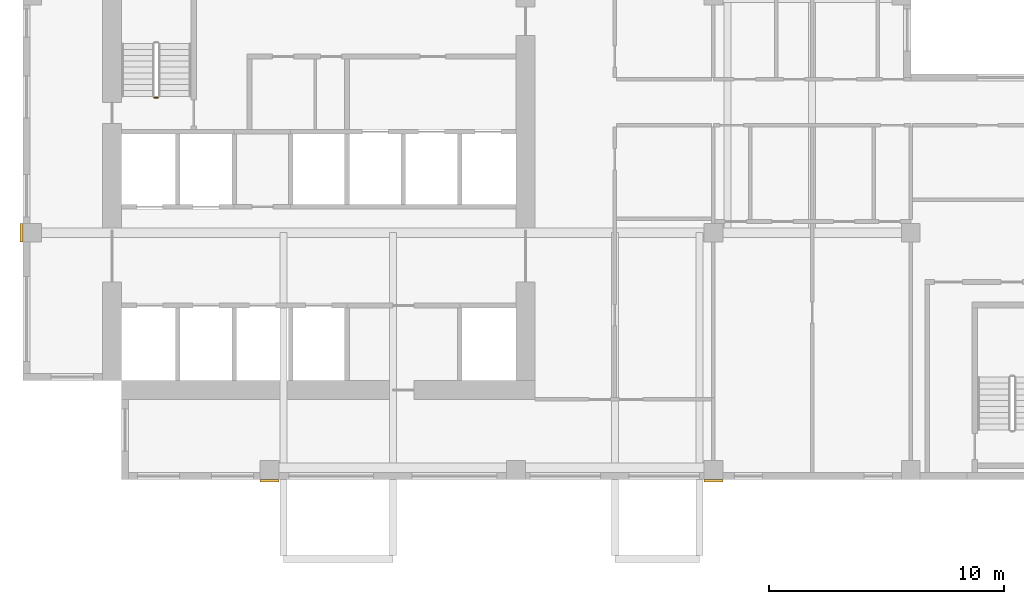
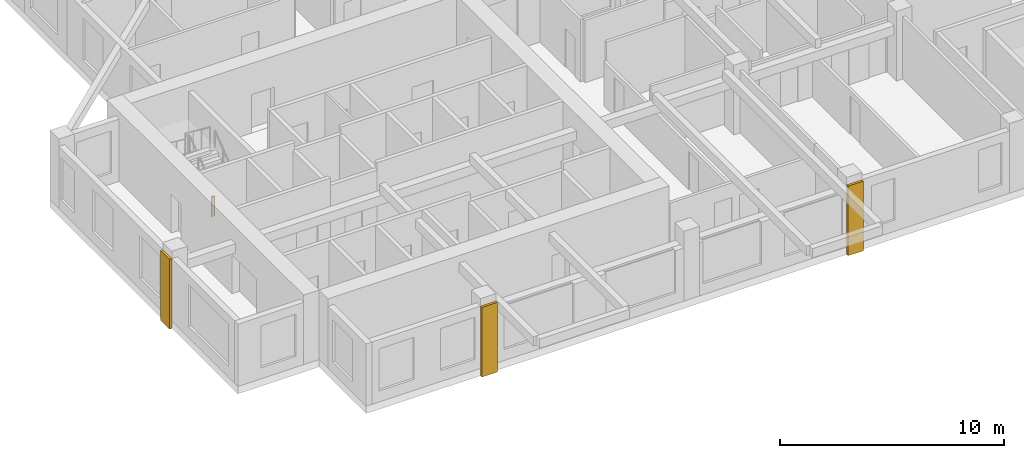
# One storey, part 8 of 11: 3 coverings, 1 railing.
"""IFC4 building model written with IfcOpenShell, lengths in metres."""

from ifc_helpers import new_model, si_unit, direction, frame, origin, origin_2d, place, context, subcontext, project, spatial, rectangle, circle, extrude, source, transform, mapped, material, type_object, element, save


model = new_model("IFC4")

# Units and contexts
model_context = context("Model", 3, precision=1e-05, world=origin(), true_north=direction((0.0, 1.0)))
body_context = subcontext(model_context, "Body", "Model", "MODEL_VIEW")
ifc_project = project(units=[si_unit("LENGTHUNIT", "METRE"), si_unit("AREAUNIT", "SQUARE_METRE"), si_unit("VOLUMEUNIT", "CUBIC_METRE"), si_unit("PLANEANGLEUNIT", "RADIAN"), si_unit("MASSUNIT", "GRAM", prefix="KILO")], contexts=[model_context])

# Site, building, storey
site_placement = place(None, origin())
site = spatial("IfcSite", under=ifc_project, at=site_placement, CompositionType="ELEMENT")
building_placement = place(site_placement, origin())
building = spatial("IfcBuilding", under=site, at=building_placement, Name="Aurelian Terraces", CompositionType="ELEMENT")
storey_placement = place(building_placement, frame((0.0, 0.0, 227.2)))
storey = spatial("IfcBuildingStorey", under=building, at=storey_placement, Name="L51", CompositionType="ELEMENT", Elevation=227.2)

# Coverings
ifc_material_1 = material(Name="Terracotta rainscreen cladding relief", Category="masonry")
covering_type = type_object("IfcCoveringType", Name="BAGUETTE-TC", PredefinedType="CLADDING", material=ifc_material_1)
covering_1_placement = place(storey_placement, frame((10.5, -0.06, -0.4), z_axis=(0.0, 0.0, 1.0), x_axis=(1.0, 0.0, 0.0)))
element("IfcCovering", 1, at=covering_1_placement, inside=storey, type_object=covering_type, Name="BAGUETTE pier L51 1", PredefinedType="CLADDING", context=body_context, shape_type="SweptSolid", body=[
    extrude(rectangle(XDim=0.8, YDim=0.12, at=origin_2d()), origin(), (0.0, 0.0, 1.0), 3.8),
])
covering_2_placement = place(storey_placement, frame((-0.06, 10.5, -0.4), z_axis=(0.0, 0.0, 1.0), x_axis=(1.0, 0.0, 0.0)))
element("IfcCovering", 2, at=covering_2_placement, inside=storey, type_object=covering_type, Name="BAGUETTE pier L51 4", PredefinedType="CLADDING", context=body_context, shape_type="SweptSolid", body=[
    extrude(rectangle(XDim=0.12, YDim=0.8, at=origin_2d()), origin(), (0.0, 0.0, 1.0), 3.8),
])
shared_shape_1 = source(origin(), body_context, "Body", "SweptSolid", [
    extrude(rectangle(XDim=0.8, YDim=0.12, at=origin_2d()), origin(), (0.0, 0.0, 1.0), 3.8),
])
covering_3_placement = place(storey_placement, frame((29.4, -0.06, -0.4), z_axis=(0.0, 0.0, 1.0), x_axis=(1.0, 0.0, 0.0)))
element("IfcCovering", 3, at=covering_3_placement, inside=storey, type_object=covering_type, Name="BAGUETTE pier L51 2", PredefinedType="CLADDING", context=body_context, shape_type="MappedRepresentation", body=[
    mapped(shared_shape_1, transform((0.0, 0.0, 0.0), scale=1.0)),
])

# Railing
ifc_material_2 = material(Name="Stainless steel", Category="steel")
railing_type = type_object("IfcRailingType", Name="Stair guard 1100", PredefinedType="GUARDRAIL", material=ifc_material_2)
shared_shape_2 = source(origin(), body_context, "Body", "SweptSolid", [
    extrude(circle(Radius=0.024, at=origin_2d()), frame((0.0, 0.0, 1.076), z_axis=(-1.0, 0.0, 0.0), x_axis=(0.0, -1.0, 0.0)), (0.0, 0.0, 1.0), 0.15),
    extrude(circle(Radius=0.021, at=origin_2d()), origin(), (0.0, 0.0, 1.0), 1.052),
    extrude(circle(Radius=0.021, at=origin_2d()), frame((-0.15, 0.0, 0.0)), (0.0, 0.0, 1.0), 1.052),
])
railing_placement = place(storey_placement, frame((5.75, 16.25, 0.0)))
element("IfcRailing", 4, at=railing_placement, inside=storey, type_object=railing_type, Name="L51 S1 stair guard 4", PredefinedType="GUARDRAIL", context=body_context, shape_type="MappedRepresentation", body=[
    mapped(shared_shape_2, transform((0.0, 0.0, 0.0), scale=1.0)),
])

save(model, "model.ifc")
